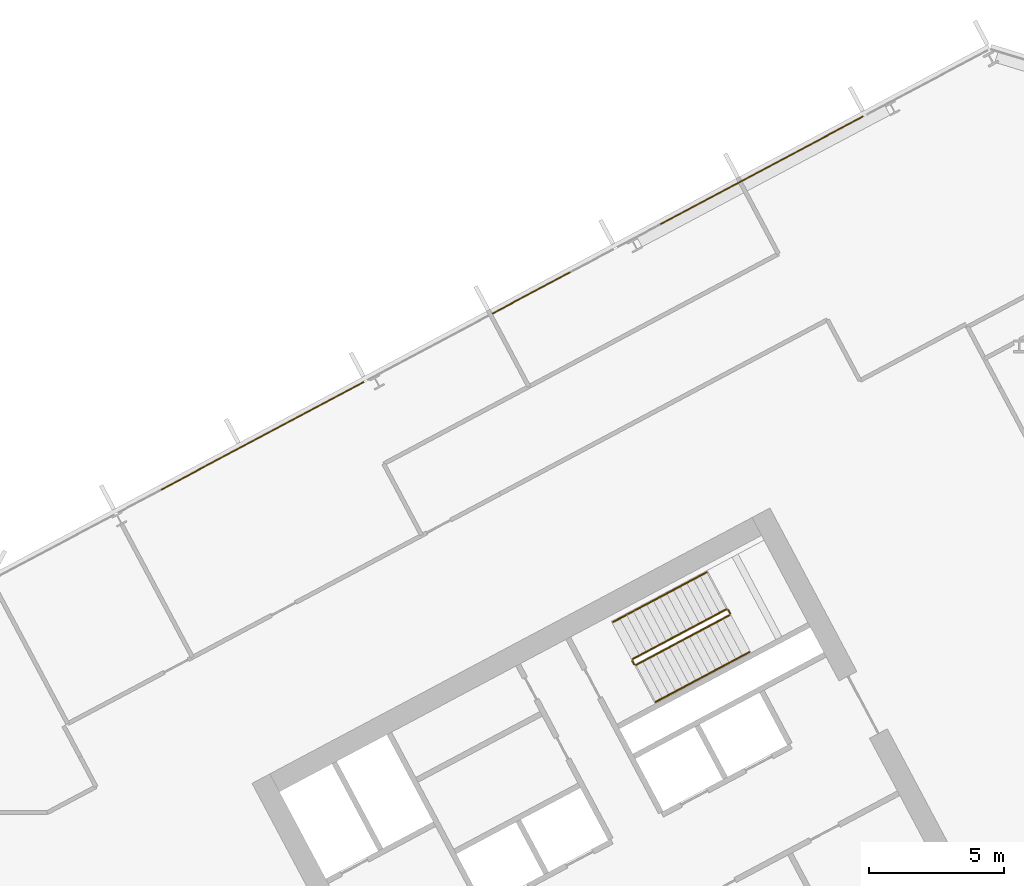
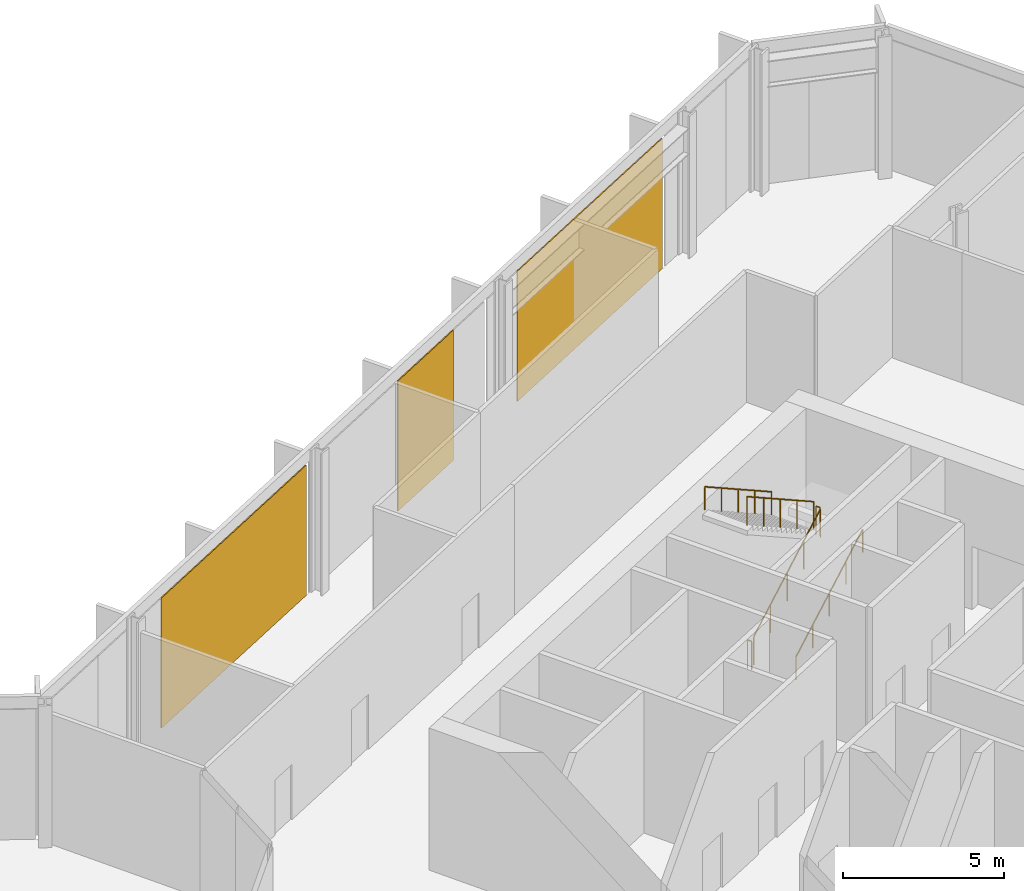
# One storey, part 29 of 31: 6 railings, 3 coverings, 1 element without a shape of its own.
"""IFC4 building model written with IfcOpenShell, lengths in metres."""

import ifcopenshell
import ifcopenshell.guid

model = None  # the IFC model being written
_history = None  # IfcOwnerHistory: only IFC2X3 demands one
_inside = {}  # id of a spatial element -> (the spatial element, [elements in it])
_under = {}  # id of a project, library or spatial element -> (it, [spatial elements below it])
_declared = {}  # id of a project -> (the project, [libraries it declares])
_typed = {}  # id of a type object -> (the type object, [elements of that type])
_made_of = {}  # id of a material, layer set ... -> (it, [elements and type objects made of it])


def new_model(schema):
    """Start an empty IFC model of exactly this schema.

    Asked for "IFC4X3", IfcOpenShell would pick the latest addendum, in which some entities
    have other attributes; the version numbers below select the first issue.
    IFC2X3 requires an IfcOwnerHistory on every rooted entity: one is made here for all.
    """
    global model, _history
    if schema == "IFC4X3":
        model = ifcopenshell.file(schema_version=(4, 3, 0, 0))
    else:
        model = ifcopenshell.file(schema=schema)
    _inside.clear()
    _under.clear()
    _declared.clear()
    _typed.clear()
    _made_of.clear()
    _history = None
    if model.schema == "IFC2X3":
        org = make("IfcOrganization", Name="unknown")
        user = make(
            "IfcPersonAndOrganization",
            ThePerson=make("IfcPerson", FamilyName="unknown"),
            TheOrganization=org,
        )
        app = make(
            "IfcApplication",
            ApplicationDeveloper=org,
            Version="unknown",
            ApplicationFullName="unknown",
            ApplicationIdentifier="unknown",
        )
        _history = make(
            "IfcOwnerHistory",
            OwningUser=user,
            OwningApplication=app,
            ChangeAction="ADDED",
            CreationDate=0,
        )
    return model


def make(cls, **values):
    """One entity of the class cls with the attributes given. An attribute that is None is left unset."""
    return model.create_entity(
        cls, **{name: value for name, value in values.items() if value is not None}
    )


def rooted(cls, **values):
    """An entity with a GlobalId (a new one), such as an element, a storey or a relation."""
    return make(cls, GlobalId=ifcopenshell.guid.new(), OwnerHistory=_history, **values)


def si_unit(unit_type, name, prefix=None):
    """IfcSIUnit, for example si_unit("LENGTHUNIT", "METRE", prefix="MILLI")."""
    return make("IfcSIUnit", UnitType=unit_type, Prefix=prefix, Name=name)


def assignment(units):
    """IfcUnitAssignment: the units of a project."""
    return None if units is None else make("IfcUnitAssignment", Units=units)


def point(xyz):
    """IfcCartesianPoint."""
    return None if xyz is None else make("IfcCartesianPoint", Coordinates=xyz)


def direction(xyz):
    """IfcDirection."""
    return None if xyz is None else make("IfcDirection", DirectionRatios=xyz)


def frame(location, z_axis=None, x_axis=None):
    """IfcAxis2Placement3D, a coordinate frame: its origin and axes. An axis left out is left unset."""
    return make(
        "IfcAxis2Placement3D",
        Location=point(location),
        Axis=direction(z_axis),
        RefDirection=direction(x_axis),
    )


def frame_2d(location, x_axis=None):
    """IfcAxis2Placement2D, a coordinate frame in the plane: its origin and x axis."""
    return make(
        "IfcAxis2Placement2D", Location=point(location), RefDirection=direction(x_axis)
    )


def origin():
    """The frame at (0, 0, 0) with its axes left unset."""
    return frame((0.0, 0.0, 0.0))


def origin_2d():
    """The frame at (0, 0) in the plane with its x axis left unset."""
    return frame_2d((0.0, 0.0))


def place(relative_to, where):
    """IfcLocalPlacement: puts the frame where relative to a parent placement (None: the world)."""
    return make(
        "IfcLocalPlacement", PlacementRelTo=relative_to, RelativePlacement=where
    )


def context(
    kind, dimensions, precision=None, world=None, true_north=None, identifier=None
):
    """IfcGeometricRepresentationContext, for example the 3D "Model" context."""
    return make(
        "IfcGeometricRepresentationContext",
        ContextIdentifier=identifier,
        ContextType=kind,
        CoordinateSpaceDimension=dimensions,
        Precision=precision,
        WorldCoordinateSystem=world,
        TrueNorth=true_north,
    )


def subcontext(parent, identifier, kind, view, scale=None):
    """IfcGeometricRepresentationSubContext, for example "Body" below "Model"."""
    return make(
        "IfcGeometricRepresentationSubContext",
        ContextIdentifier=identifier,
        ContextType=kind,
        ParentContext=parent,
        TargetScale=scale,
        TargetView=view,
    )


def project(units=None, contexts=None):
    """IfcProject with its units and contexts."""
    return rooted(
        "IfcProject",
        Name="project",
        RepresentationContexts=contexts,
        UnitsInContext=assignment(units),
    )


def spatial(cls, under=None, at=None, **own):
    """A site, building, storey or space (cls), placed at a placement, below another one or the project."""
    s = rooted(cls, ObjectPlacement=at, **own)
    if under is not None:
        _under.setdefault(under.id(), (under, []))[1].append(s)
    return s


def polyline(points):
    """IfcPolyline through the points."""
    return make("IfcPolyline", Points=[point(p) for p in points])


def profile(cls, at=None, kind="AREA", **sizes):
    """A parametric profile (cls). Its sizes go by their IFC names, for example OverallWidth=200.0."""
    return make(cls, ProfileType=kind, Position=at, **sizes)


def rectangle(**sizes):
    """IfcRectangleProfileDef."""
    return profile("IfcRectangleProfileDef", **sizes)


def outline(outer, holes=None, kind="AREA"):
    """IfcArbitraryClosedProfileDef: a profile drawn as a closed curve; with holes, ...WithVoids."""
    if holes is None:
        return make("IfcArbitraryClosedProfileDef", ProfileType=kind, OuterCurve=outer)
    return make(
        "IfcArbitraryProfileDefWithVoids",
        ProfileType=kind,
        OuterCurve=outer,
        InnerCurves=holes,
    )


def extrude(swept, where, along, depth):
    """IfcExtrudedAreaSolid: the profile swept, set in the frame where, extruded along a direction by depth."""
    return make(
        "IfcExtrudedAreaSolid",
        SweptArea=swept,
        Position=where,
        ExtrudedDirection=direction(along),
        Depth=depth,
    )


def shape(context_of_items, identifier, shape_type, items):
    """IfcShapeRepresentation: the items that make up one representation, for example the "Body"."""
    return make(
        "IfcShapeRepresentation",
        ContextOfItems=context_of_items,
        RepresentationIdentifier=identifier,
        RepresentationType=shape_type,
        Items=items,
    )


def material(Name=None, Category=None):
    """IfcMaterial."""
    return make("IfcMaterial", Name=Name, Category=Category)


def layer(
    of_material, thickness, ventilated=None, Name=None, Category=None, Priority=None
):
    """IfcMaterialLayer: one layer of a wall or slab, of a material (None: an air gap)."""
    return make(
        "IfcMaterialLayer",
        Material=of_material,
        LayerThickness=thickness,
        IsVentilated=ventilated,
        Name=Name,
        Category=Category,
        Priority=Priority,
    )


def layer_set(layers, Name=None):
    """IfcMaterialLayerSet."""
    return make("IfcMaterialLayerSet", MaterialLayers=layers, LayerSetName=Name)


def made_of(thing, what):
    """Note that an element or type object is made of a material, layer set ...; save() writes the relation."""
    if what is not None:
        _made_of.setdefault(what.id(), (what, []))[1].append(thing)
    return thing


def type_object(cls, material=None, **own):
    """A type object (cls), such as IfcWallType, which elements share."""
    return made_of(rooted(cls, **own), material)


def element(
    cls,
    number,
    at=None,
    inside=None,
    cuts=None,
    type_object=None,
    material=None,
    context=None,
    identifier="Body",
    shape_type=None,
    held_by="IfcProductDefinitionShape",
    body=None,
    shapes=None,
    **own,
):
    """One element of the class cls, such as IfcWall. Its Tag is "e" and its number.

    at: its placement. inside: the storey or other place that contains it. cuts: it is an
    opening in that element (IfcRelVoidsElement). A single representation is given by context,
    identifier, shape_type and body (its items); several are given by shapes. held_by: the class
    of the entity that holds the representations. save() writes the other relations.
    """
    e = rooted(cls, Tag="e%d" % number, ObjectPlacement=at, **own)
    if body is not None:
        shapes = [shape(context, identifier, shape_type, body)]
    if shapes is not None:
        e.Representation = make(held_by, Representations=shapes)
    if inside is not None:
        _inside.setdefault(inside.id(), (inside, []))[1].append(e)
    if cuts is not None:
        rooted(
            "IfcRelVoidsElement", RelatingBuildingElement=cuts, RelatedOpeningElement=e
        )
    if type_object is not None:
        _typed.setdefault(type_object.id(), (type_object, []))[1].append(e)
    return made_of(e, material)


def aggregate(whole, parts):
    """IfcRelAggregates: a whole, such as a stair, and the parts it consists of."""
    return rooted("IfcRelAggregates", RelatingObject=whole, RelatedObjects=parts)


def save(model, path):
    """Write the relations noted so far, then the file.

    IfcRelAggregates (storeys below a building ...), IfcRelContainedInSpatialStructure (elements
    in a storey), IfcRelDefinesByType, IfcRelAssociatesMaterial and IfcRelDeclares: one each for
    every whole, place, type object, material and project.
    """
    for whole, parts in _under.values():
        aggregate(whole, parts)
    for where, things in _inside.values():
        rooted(
            "IfcRelContainedInSpatialStructure",
            RelatedElements=things,
            RelatingStructure=where,
        )
    for kind, things in _typed.values():
        rooted("IfcRelDefinesByType", RelatedObjects=things, RelatingType=kind)
    for what, things in _made_of.values():
        rooted("IfcRelAssociatesMaterial", RelatedObjects=things, RelatingMaterial=what)
    for by, libraries in _declared.values():
        rooted("IfcRelDeclares", RelatingContext=by, RelatedDefinitions=libraries)
    model.write(path)


model = new_model("IFC4")

# Units and contexts
model_context = context("Model", 3, precision=1e-05, world=origin(), true_north=direction((0.0, 1.0)))
body_context = subcontext(model_context, "Body", "Model", "MODEL_VIEW")
ifc_project = project(units=[si_unit("LENGTHUNIT", "METRE"), si_unit("AREAUNIT", "SQUARE_METRE"), si_unit("VOLUMEUNIT", "CUBIC_METRE"), si_unit("PLANEANGLEUNIT", "RADIAN"), si_unit("MASSUNIT", "GRAM", prefix="KILO")], contexts=[model_context])

# Site, building, storey
site_placement = place(None, origin())
site = spatial("IfcSite", under=ifc_project, at=site_placement, CompositionType="ELEMENT")
building_placement = place(site_placement, origin())
building = spatial("IfcBuilding", under=site, at=building_placement, Name="Cormorant Relay Tower", CompositionType="ELEMENT")
storey_placement = place(building_placement, frame((0.0, 0.0, 178.199951171875)))
storey = spatial("IfcBuildingStorey", under=building, at=storey_placement, Name="L38", CompositionType="ELEMENT", Elevation=178.199951171875)

# Curtain wall, coverings
ifc_material_1 = material(Name="Aluminium 6063-T6 anodised bronze", Category="aluminium")
ifc_layer_1 = layer(ifc_material_1, 0.199951171875)
ifc_layer_set_1 = layer_set([ifc_layer_1], Name="CW1 unitised bronze curtain wall with vertical fins")
curtain_wall_type = type_object("IfcCurtainWallType", Name="CW1 unitised bronze curtain wall with vertical fins", PredefinedType="NOTDEFINED", material=ifc_layer_set_1)
curtain_wall_placement = place(storey_placement, origin())
curtain_wall = element("IfcCurtainWall", 1, at=curtain_wall_placement, inside=storey, type_object=curtain_wall_type, Name="CW1 curtain wall 8", PredefinedType="NOTDEFINED")
ifc_material_2 = material(Name="Pale bronze anodised aluminium insulated panel", Category="aluminium")
ifc_layer_2 = layer(ifc_material_2, 0.0400390625)
ifc_layer_set_2 = layer_set([ifc_layer_2], Name="CW1 pale bronze insulated panel 40")
covering_type = type_object("IfcCoveringType", Name="CW1 pale bronze insulated panel 40", PredefinedType="CLADDING", material=ifc_layer_set_2)
covering_1_placement = place(storey_placement, frame((28.48828125, 38.9541015625, 0.0), z_axis=(0.0, 0.0, 1.0), x_axis=(-0.882947592859, -0.469471562786, 0.0)))
covering_1 = element("IfcCovering", 2, at=covering_1_placement, type_object=covering_type, Name="CW1 panel S02", PredefinedType="CLADDING", context=body_context, shape_type="SweptSolid", body=[
    extrude(rectangle(XDim=8.508544921875, YDim=0.0400390625, at=origin_2d()), origin(), (0.0, 0.0, 1.0), 4.949951171875),
])
covering_2_placement = place(storey_placement, frame((19.97314453125, 34.426513671875, 0.0), z_axis=(0.0, 0.0, 1.0), x_axis=(-0.882947592859, -0.469471562786, 0.0)))
covering_2 = element("IfcCovering", 3, at=covering_2_placement, type_object=covering_type, Name="CW1 panel S05", PredefinedType="CLADDING", context=body_context, shape_type="SweptSolid", body=[
    extrude(rectangle(XDim=3.279296875, YDim=0.0400390625, at=origin_2d()), origin(), (0.0, 0.0, 1.0), 4.949951171875),
])
covering_3_placement = place(storey_placement, frame((10.01953125, 29.134033203125, 0.0), z_axis=(0.0, 0.0, 1.0), x_axis=(-0.882947592859, -0.469471562786, 0.0)))
covering_3 = element("IfcCovering", 4, at=covering_3_placement, type_object=covering_type, Name="CW1 panel S07", PredefinedType="CLADDING", context=body_context, shape_type="SweptSolid", body=[
    extrude(rectangle(XDim=8.508544921875, YDim=0.0400390625, at=origin_2d()), origin(), (0.0, 0.0, 1.0), 4.949951171875),
])
aggregate(curtain_wall, [covering_1, covering_2, covering_3])

# Railings
ifc_material_3 = material(Name="Steel ASTM A572 Grade 50 (Fy 345 MPa)", Category="steel")
railing_type_1 = type_object("IfcRailingType", Name="Stair guard 1100", PredefinedType="GUARDRAIL", material=ifc_material_3)
railing_1_placement = place(storey_placement, frame((23.8408203125, 20.6611328125, 0.179931640625)))
element("IfcRailing", 5, at=railing_1_placement, inside=storey, type_object=railing_type_1, Name="L38 B2 stair guard 1", PredefinedType="GUARDRAIL", context=body_context, shape_type="SweptSolid", body=[
    extrude(outline(polyline([(0.022216796875, 0.00927734375), (0.00927734375, 0.022216796875), (-0.00927734375, 0.022216796875), (-0.022216796875, 0.00927734375), (-0.022216796875, -0.00927734375), (-0.00927734375, -0.022216796875), (0.00927734375, -0.022216796875), (0.022216796875, -0.00927734375), (0.022216796875, 0.00927734375)])), frame((0.0, 0.0, 1.076171875), z_axis=(0.74271721126, 0.394907409077, 0.540758062681), x_axis=(-0.469469396681, 0.882948744594, 0.0)), (0.0, 0.0, 1.0), 4.66015625),
    extrude(outline(polyline([(0.019287109375, 0.008056640625), (0.008056640625, 0.019287109375), (-0.008056640625, 0.019287109375), (-0.019287109375, 0.008056640625), (-0.019287109375, -0.008056640625), (-0.008056640625, -0.019287109375), (0.008056640625, -0.019287109375), (0.019287109375, -0.008056640625), (0.019287109375, 0.008056640625)])), origin(), (0.0, 0.0, 1.0), 1.052001953125),
    extrude(outline(polyline([(0.019287109375, 0.008056640625), (0.008056640625, 0.019287109375), (-0.008056640625, 0.019287109375), (-0.019287109375, 0.008056640625), (-0.019287109375, -0.008056640625), (-0.008056640625, -0.019287109375), (0.008056640625, -0.019287109375), (0.019287109375, -0.008056640625), (0.019287109375, 0.008056640625)])), frame((0.865234375, 0.4599609375, 0.6298828125)), (0.0, 0.0, 1.0), 1.052001953125),
    extrude(outline(polyline([(0.019287109375, 0.008056640625), (0.008056640625, 0.019287109375), (-0.008056640625, 0.019287109375), (-0.019287109375, 0.008056640625), (-0.019287109375, -0.008056640625), (-0.008056640625, -0.019287109375), (0.008056640625, -0.019287109375), (0.019287109375, -0.008056640625), (0.019287109375, 0.008056640625)])), frame((1.73046875, 0.920166015625, 1.260009765625)), (0.0, 0.0, 1.0), 1.052001953125),
    extrude(outline(polyline([(0.019287109375, 0.008056640625), (0.008056640625, 0.019287109375), (-0.008056640625, 0.019287109375), (-0.019287109375, 0.008056640625), (-0.019287109375, -0.008056640625), (-0.008056640625, -0.019287109375), (0.008056640625, -0.019287109375), (0.019287109375, -0.008056640625), (0.019287109375, 0.008056640625)])), frame((2.595947265625, 1.38037109375, 1.89013671875)), (0.0, 0.0, 1.0), 1.052001953125),
    extrude(outline(polyline([(0.019287109375, 0.008056640625), (0.008056640625, 0.019287109375), (-0.008056640625, 0.019287109375), (-0.019287109375, 0.008056640625), (-0.019287109375, -0.008056640625), (-0.008056640625, -0.019287109375), (0.008056640625, -0.019287109375), (0.019287109375, -0.008056640625), (0.019287109375, 0.008056640625)])), frame((3.461181640625, 1.84033203125, 2.52001953125)), (0.0, 0.0, 1.0), 1.052001953125),
])
railing_2_placement = place(storey_placement, frame((27.32275390625, 22.569091796875, 2.699951171875)))
element("IfcRailing", 6, at=railing_2_placement, inside=storey, type_object=railing_type_1, Name="L38 B2 stair guard 2", PredefinedType="GUARDRAIL", context=body_context, shape_type="SweptSolid", body=[
    extrude(outline(polyline([(0.022216796875, 0.00927734375), (0.00927734375, 0.022216796875), (-0.00927734375, 0.022216796875), (-0.022216796875, 0.00927734375), (-0.022216796875, -0.00927734375), (-0.00927734375, -0.022216796875), (0.00927734375, -0.022216796875), (0.022216796875, -0.00927734375), (0.022216796875, 0.00927734375)])), frame((0.0, 0.0, 1.076171875), z_axis=(-0.470503732759, 0.882398003998, 0.0), x_axis=(-0.882398003998, -0.470503732759, 0.0)), (0.0, 0.0, 1.0), 0.14990234375),
    extrude(outline(polyline([(0.019287109375, 0.008056640625), (0.008056640625, 0.019287109375), (-0.008056640625, 0.019287109375), (-0.019287109375, 0.008056640625), (-0.019287109375, -0.008056640625), (-0.008056640625, -0.019287109375), (0.008056640625, -0.019287109375), (0.019287109375, -0.008056640625), (0.019287109375, 0.008056640625)])), origin(), (0.0, 0.0, 1.0), 1.052001953125),
    extrude(outline(polyline([(0.019287109375, 0.008056640625), (0.008056640625, 0.019287109375), (-0.008056640625, 0.019287109375), (-0.019287109375, 0.008056640625), (-0.019287109375, -0.008056640625), (-0.008056640625, -0.019287109375), (0.008056640625, -0.019287109375), (0.019287109375, -0.008056640625), (0.019287109375, 0.008056640625)])), frame((-0.070556640625, 0.13232421875, 0.0)), (0.0, 0.0, 1.0), 1.052001953125),
])
railing_3_placement = place(storey_placement, frame((27.1845703125, 22.72216796875, 2.880126953125)))
element("IfcRailing", 7, at=railing_3_placement, inside=storey, type_object=railing_type_1, Name="L38 B2 stair guard 3", PredefinedType="GUARDRAIL", context=body_context, shape_type="SweptSolid", body=[
    extrude(outline(polyline([(0.022216796875, 0.00927734375), (0.00927734375, 0.022216796875), (-0.00927734375, 0.022216796875), (-0.022216796875, 0.00927734375), (-0.022216796875, -0.00927734375), (-0.00927734375, -0.022216796875), (0.00927734375, -0.022216796875), (0.022216796875, -0.00927734375), (0.022216796875, 0.00927734375)])), frame((0.0, 0.0, 1.076171875), z_axis=(-0.74271721126, -0.394907409077, 0.540758062681), x_axis=(0.469469396681, -0.882948744594, 0.0)), (0.0, 0.0, 1.0), 4.66015625),
    extrude(outline(polyline([(0.019287109375, 0.008056640625), (0.008056640625, 0.019287109375), (-0.008056640625, 0.019287109375), (-0.019287109375, 0.008056640625), (-0.019287109375, -0.008056640625), (-0.008056640625, -0.019287109375), (0.008056640625, -0.019287109375), (0.019287109375, -0.008056640625), (0.019287109375, 0.008056640625)])), origin(), (0.0, 0.0, 1.0), 1.052001953125),
    extrude(outline(polyline([(0.019287109375, 0.008056640625), (0.008056640625, 0.019287109375), (-0.008056640625, 0.019287109375), (-0.019287109375, 0.008056640625), (-0.019287109375, -0.008056640625), (-0.008056640625, -0.019287109375), (0.008056640625, -0.019287109375), (0.019287109375, -0.008056640625), (0.019287109375, 0.008056640625)])), frame((-0.865234375, -0.4599609375, 0.6298828125)), (0.0, 0.0, 1.0), 1.052001953125),
    extrude(outline(polyline([(0.019287109375, 0.008056640625), (0.008056640625, 0.019287109375), (-0.008056640625, 0.019287109375), (-0.019287109375, 0.008056640625), (-0.019287109375, -0.008056640625), (-0.008056640625, -0.019287109375), (0.008056640625, -0.019287109375), (0.019287109375, -0.008056640625), (0.019287109375, 0.008056640625)])), frame((-1.73046875, -0.920166015625, 1.260009765625)), (0.0, 0.0, 1.0), 1.052001953125),
    extrude(outline(polyline([(0.019287109375, 0.008056640625), (0.008056640625, 0.019287109375), (-0.008056640625, 0.019287109375), (-0.019287109375, 0.008056640625), (-0.019287109375, -0.008056640625), (-0.008056640625, -0.019287109375), (0.008056640625, -0.019287109375), (0.019287109375, -0.008056640625), (0.019287109375, 0.008056640625)])), frame((-2.595947265625, -1.38037109375, 1.89013671875)), (0.0, 0.0, 1.0), 1.052001953125),
    extrude(outline(polyline([(0.019287109375, 0.008056640625), (0.008056640625, 0.019287109375), (-0.008056640625, 0.019287109375), (-0.019287109375, 0.008056640625), (-0.019287109375, -0.008056640625), (-0.008056640625, -0.019287109375), (0.008056640625, -0.019287109375), (0.019287109375, -0.008056640625), (0.019287109375, 0.008056640625)])), frame((-3.461181640625, -1.84033203125, 2.52001953125)), (0.0, 0.0, 1.0), 1.052001953125),
])
railing_4_placement = place(storey_placement, frame((23.773193359375, 20.681640625, 0.0)))
element("IfcRailing", 8, at=railing_4_placement, inside=storey, type_object=railing_type_1, Name="L38 B2 stair guard 4", PredefinedType="GUARDRAIL", context=body_context, shape_type="SweptSolid", body=[
    extrude(outline(polyline([(0.022216796875, 0.00927734375), (0.00927734375, 0.022216796875), (-0.00927734375, 0.022216796875), (-0.022216796875, 0.00927734375), (-0.022216796875, -0.00927734375), (-0.00927734375, -0.022216796875), (0.00927734375, -0.022216796875), (0.022216796875, -0.00927734375), (0.022216796875, 0.00927734375)])), frame((0.0, 0.0, 1.076171875), z_axis=(-0.46856034887, 0.8834314911, 0.0), x_axis=(-0.8834314911, -0.46856034887, 0.0)), (0.0, 0.0, 1.0), 0.150146484375),
    extrude(outline(polyline([(0.019287109375, 0.008056640625), (0.008056640625, 0.019287109375), (-0.008056640625, 0.019287109375), (-0.019287109375, 0.008056640625), (-0.019287109375, -0.008056640625), (-0.008056640625, -0.019287109375), (0.008056640625, -0.019287109375), (0.019287109375, -0.008056640625), (0.019287109375, 0.008056640625)])), origin(), (0.0, 0.0, 1.0), 1.052001953125),
    extrude(outline(polyline([(0.019287109375, 0.008056640625), (0.008056640625, 0.019287109375), (-0.008056640625, 0.019287109375), (-0.019287109375, 0.008056640625), (-0.019287109375, -0.008056640625), (-0.008056640625, -0.019287109375), (0.008056640625, -0.019287109375), (0.019287109375, -0.008056640625), (0.019287109375, 0.008056640625)])), frame((-0.0703125, 0.132568359375, 0.0)), (0.0, 0.0, 1.0), 1.052001953125),
])
ifc_material_4 = material(Name="Steel ASTM A572 Grade 50 (Fy 345 MPa)", Category="steel")
railing_type_2 = type_object("IfcRailingType", Name="Stair handrail 900", PredefinedType="HANDRAIL", material=ifc_material_4)
railing_5_placement = place(storey_placement, frame((24.568603515625, 19.29248046875, 0.179931640625)))
element("IfcRailing", 9, at=railing_5_placement, inside=storey, type_object=railing_type_2, Name="L38 B2 stair handrail 1", PredefinedType="HANDRAIL", context=body_context, shape_type="SweptSolid", body=[
    extrude(outline(polyline([(0.022216796875, 0.00927734375), (0.00927734375, 0.022216796875), (-0.00927734375, 0.022216796875), (-0.022216796875, 0.00927734375), (-0.022216796875, -0.00927734375), (-0.00927734375, -0.022216796875), (0.00927734375, -0.022216796875), (0.022216796875, -0.00927734375), (0.022216796875, 0.00927734375)])), frame((0.0, 0.0, 0.8759765625), z_axis=(0.74271721126, 0.394907409077, 0.540758062681), x_axis=(-0.469469396681, 0.882948744594, 0.0)), (0.0, 0.0, 1.0), 4.66015625),
    extrude(outline(polyline([(0.019287109375, 0.008056640625), (0.008056640625, 0.019287109375), (-0.008056640625, 0.019287109375), (-0.019287109375, 0.008056640625), (-0.019287109375, -0.008056640625), (-0.008056640625, -0.019287109375), (0.008056640625, -0.019287109375), (0.019287109375, -0.008056640625), (0.019287109375, 0.008056640625)])), origin(), (0.0, 0.0, 1.0), 0.851806640625),
    extrude(outline(polyline([(0.019287109375, 0.008056640625), (0.008056640625, 0.019287109375), (-0.008056640625, 0.019287109375), (-0.019287109375, 0.008056640625), (-0.019287109375, -0.008056640625), (-0.008056640625, -0.019287109375), (0.008056640625, -0.019287109375), (0.019287109375, -0.008056640625), (0.019287109375, 0.008056640625)])), frame((0.865234375, 0.4599609375, 0.6298828125)), (0.0, 0.0, 1.0), 0.851806640625),
    extrude(outline(polyline([(0.019287109375, 0.008056640625), (0.008056640625, 0.019287109375), (-0.008056640625, 0.019287109375), (-0.019287109375, 0.008056640625), (-0.019287109375, -0.008056640625), (-0.008056640625, -0.019287109375), (0.008056640625, -0.019287109375), (0.019287109375, -0.008056640625), (0.019287109375, 0.008056640625)])), frame((1.73046875, 0.920166015625, 1.260009765625)), (0.0, 0.0, 1.0), 0.851806640625),
    extrude(outline(polyline([(0.019287109375, 0.008056640625), (0.008056640625, 0.019287109375), (-0.008056640625, 0.019287109375), (-0.019287109375, 0.008056640625), (-0.019287109375, -0.008056640625), (-0.008056640625, -0.019287109375), (0.008056640625, -0.019287109375), (0.019287109375, -0.008056640625), (0.019287109375, 0.008056640625)])), frame((2.595947265625, 1.38037109375, 1.89013671875)), (0.0, 0.0, 1.0), 0.851806640625),
    extrude(outline(polyline([(0.019287109375, 0.008056640625), (0.008056640625, 0.019287109375), (-0.008056640625, 0.019287109375), (-0.019287109375, 0.008056640625), (-0.019287109375, -0.008056640625), (-0.008056640625, -0.019287109375), (0.008056640625, -0.019287109375), (0.019287109375, -0.008056640625), (0.019287109375, 0.008056640625)])), frame((3.461181640625, 1.84033203125, 2.52001953125)), (0.0, 0.0, 1.0), 0.851806640625),
])
railing_6_placement = place(storey_placement, frame((26.45703125, 24.090576171875, 2.880126953125)))
element("IfcRailing", 10, at=railing_6_placement, inside=storey, type_object=railing_type_2, Name="L38 B2 stair handrail 2", PredefinedType="HANDRAIL", context=body_context, shape_type="SweptSolid", body=[
    extrude(outline(polyline([(0.022216796875, 0.00927734375), (0.00927734375, 0.022216796875), (-0.00927734375, 0.022216796875), (-0.022216796875, 0.00927734375), (-0.022216796875, -0.00927734375), (-0.00927734375, -0.022216796875), (0.00927734375, -0.022216796875), (0.022216796875, -0.00927734375), (0.022216796875, 0.00927734375)])), frame((0.0, 0.0, 0.8759765625), z_axis=(-0.74271721126, -0.394907409077, 0.540758062681), x_axis=(0.469469396681, -0.882948744594, 0.0)), (0.0, 0.0, 1.0), 4.66015625),
    extrude(outline(polyline([(0.019287109375, 0.008056640625), (0.008056640625, 0.019287109375), (-0.008056640625, 0.019287109375), (-0.019287109375, 0.008056640625), (-0.019287109375, -0.008056640625), (-0.008056640625, -0.019287109375), (0.008056640625, -0.019287109375), (0.019287109375, -0.008056640625), (0.019287109375, 0.008056640625)])), origin(), (0.0, 0.0, 1.0), 0.851806640625),
    extrude(outline(polyline([(0.019287109375, 0.008056640625), (0.008056640625, 0.019287109375), (-0.008056640625, 0.019287109375), (-0.019287109375, 0.008056640625), (-0.019287109375, -0.008056640625), (-0.008056640625, -0.019287109375), (0.008056640625, -0.019287109375), (0.019287109375, -0.008056640625), (0.019287109375, 0.008056640625)])), frame((-0.865234375, -0.4599609375, 0.6298828125)), (0.0, 0.0, 1.0), 0.851806640625),
    extrude(outline(polyline([(0.019287109375, 0.008056640625), (0.008056640625, 0.019287109375), (-0.008056640625, 0.019287109375), (-0.019287109375, 0.008056640625), (-0.019287109375, -0.008056640625), (-0.008056640625, -0.019287109375), (0.008056640625, -0.019287109375), (0.019287109375, -0.008056640625), (0.019287109375, 0.008056640625)])), frame((-1.73046875, -0.920166015625, 1.260009765625)), (0.0, 0.0, 1.0), 0.851806640625),
    extrude(outline(polyline([(0.019287109375, 0.008056640625), (0.008056640625, 0.019287109375), (-0.008056640625, 0.019287109375), (-0.019287109375, 0.008056640625), (-0.019287109375, -0.008056640625), (-0.008056640625, -0.019287109375), (0.008056640625, -0.019287109375), (0.019287109375, -0.008056640625), (0.019287109375, 0.008056640625)])), frame((-2.595947265625, -1.38037109375, 1.89013671875)), (0.0, 0.0, 1.0), 0.851806640625),
    extrude(outline(polyline([(0.019287109375, 0.008056640625), (0.008056640625, 0.019287109375), (-0.008056640625, 0.019287109375), (-0.019287109375, 0.008056640625), (-0.019287109375, -0.008056640625), (-0.008056640625, -0.019287109375), (0.008056640625, -0.019287109375), (0.019287109375, -0.008056640625), (0.019287109375, 0.008056640625)])), frame((-3.461181640625, -1.84033203125, 2.52001953125)), (0.0, 0.0, 1.0), 0.851806640625),
])

save(model, "model.ifc")
